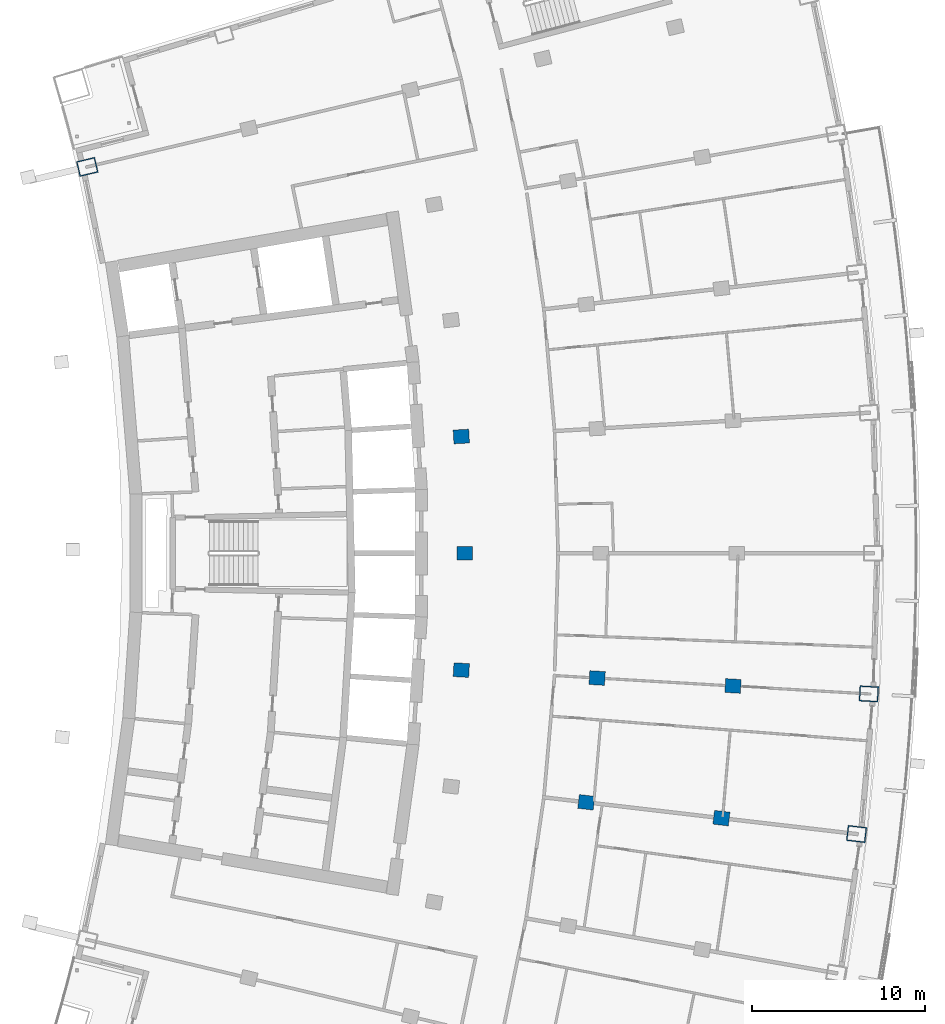
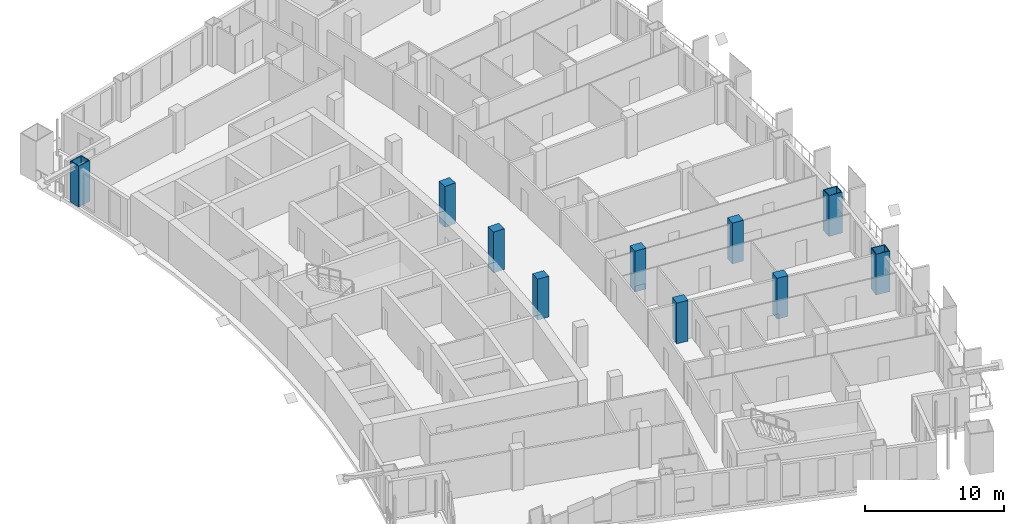
# One storey, part 4 of 20: 10 columns.
"""IFC4 building model written with IfcOpenShell, lengths in metres."""

from ifc_helpers import new_model, si_unit, direction, frame, origin, origin_2d, place, context, subcontext, project, spatial, rectangle, hollow_rectangle, extrude, material, material_profile, profile_set, type_object, element, save


model = new_model("IFC4")

# Units and contexts
model_context = context("Model", 3, precision=1e-05, world=origin(), true_north=direction((0.0, 1.0)))
body_context = subcontext(model_context, "Body", "Model", "MODEL_VIEW")
ifc_project = project(units=[si_unit("LENGTHUNIT", "METRE"), si_unit("AREAUNIT", "SQUARE_METRE"), si_unit("VOLUMEUNIT", "CUBIC_METRE"), si_unit("PLANEANGLEUNIT", "RADIAN"), si_unit("MASSUNIT", "GRAM", prefix="KILO")], contexts=[model_context])

# Site, building, storey
site_placement = place(None, origin())
site = spatial("IfcSite", under=ifc_project, at=site_placement, CompositionType="ELEMENT")
building_placement = place(site_placement, origin())
building = spatial("IfcBuilding", under=site, at=building_placement, Name="Alderwake Tower", CompositionType="ELEMENT")
storey_placement = place(building_placement, frame((0.0, 0.0, 167.60009765625)))
storey = spatial("IfcBuildingStorey", under=building, at=storey_placement, Name="L41", CompositionType="ELEMENT", Elevation=167.60009765625)

# Columns
ifc_material_1 = material(Name="Concrete C70/85", Category="concrete")
ifc_material_profile_1 = material_profile(ifc_material_1, rectangle(XDim=0.800048828125, YDim=0.89990234375, at=origin_2d()), Name="RC 900X800")
ifc_profile_set_1 = profile_set([ifc_material_profile_1], Name="Concrete C70/85")
column_type_1 = type_object("IfcColumnType", Name="Interior column Z3", PredefinedType="COLUMN", material=ifc_profile_set_1)
for number, where, z_axis, x_axis, name in (
    (1, (42.825927734375, 46.60498046875, 0.0), (0.0, 0.0, 1.0), (0.116402054316, 0.993202175668, 0.0), "Column R05-C3"),
    (2, (50.63916015625, 45.689208984375, 0.0), (0.0, 0.0, 1.0), (0.116402054316, 0.993202175668, 0.0), "Column R05-C4"),
    (3, (35.60302734375, 54.248779296875, 0.0), (0.0, 0.0, 1.0), (0.058301061284, 0.998299046505, 0.0), "Column R06-C2"),
    (4, (43.456298828125, 53.790283203125, 0.0), (0.0, 0.0, 1.0), (0.058301061284, 0.998299046505, 0.0), "Column R06-C3"),
    (5, (51.3095703125, 53.33154296875, 0.0), (0.0, 0.0, 1.0), (0.058299318924, 0.998299148258, 0.0), "Column R06-C4"),
    (6, (35.800048828125, 61.0, 0.0), (0.0, 0.0, 1.0), (0.0, 1.0, 0.0), "Column R07-C2"),
    (7, (35.60302734375, 67.751220703125, 0.0), (0.0, 0.0, 1.0), (-0.058301061284, 0.998299046505, 0.0), "Column R08-C2"),
):
    element("IfcColumn", number, at=place(storey_placement, frame(where, z_axis=z_axis, x_axis=x_axis)), inside=storey, type_object=column_type_1, Name=name, PredefinedType="COLUMN", context=body_context, shape_type="SweptSolid", body=[
        extrude(rectangle(XDim=0.800048828125, YDim=0.89990234375, at=origin_2d()), origin(), (0.0, 0.0, 1.0), 3.599853515625),
    ])
ifc_material_2 = material(Name="Steel ASTM A572 Grade 50 concrete filled C70/85", Category="concrete")
ifc_material_profile_2 = material_profile(ifc_material_2, hollow_rectangle(XDim=0.89990234375, YDim=1.10009765625, WallThickness=0.06005859375, at=origin_2d()), Name="BOX 1100X900X60")
ifc_profile_set_2 = profile_set([ifc_material_profile_2], Name="Steel ASTM A572 Grade 50 concrete filled C70/85")
column_type_2 = type_object("IfcColumnType", Name="Perimeter column Z3", PredefinedType="COLUMN", material=ifc_profile_set_2)
for number, where, z_axis, x_axis, name in (
    (8, (58.452392578125, 44.7734375, 0.0), (0.0, 0.0, 1.0), (0.116402054316, 0.993202175668, 0.0), "Column R05-C5"),
    (9, (59.162841796875, 52.872802734375, 0.0), (0.0, 0.0, 1.0), (0.058301061284, 0.998299046505, 0.0), "Column R06-C5"),
    (10, (13.982177734375, 83.3359375, 0.0), (0.0, 0.0, 1.0), (-0.231221547198, 0.972901123502, 0.0), "Column R11-C0"),
):
    element("IfcColumn", number, at=place(storey_placement, frame(where, z_axis=z_axis, x_axis=x_axis)), inside=storey, type_object=column_type_2, Name=name, PredefinedType="COLUMN", context=body_context, shape_type="SweptSolid", body=[
        extrude(hollow_rectangle(XDim=0.89990234375, YDim=1.10009765625, WallThickness=0.06005859375, at=origin_2d()), origin(), (0.0, 0.0, 1.0), 3.599853515625),
    ])

save(model, "model.ifc")
